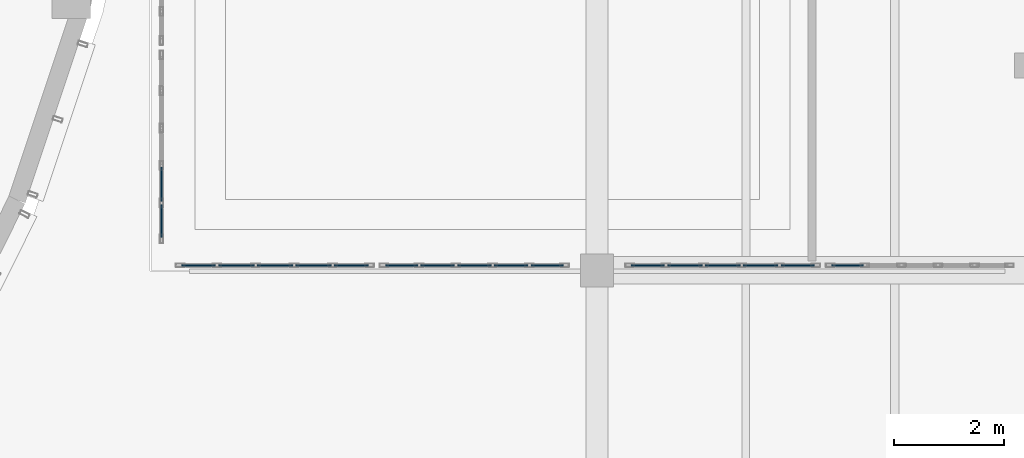
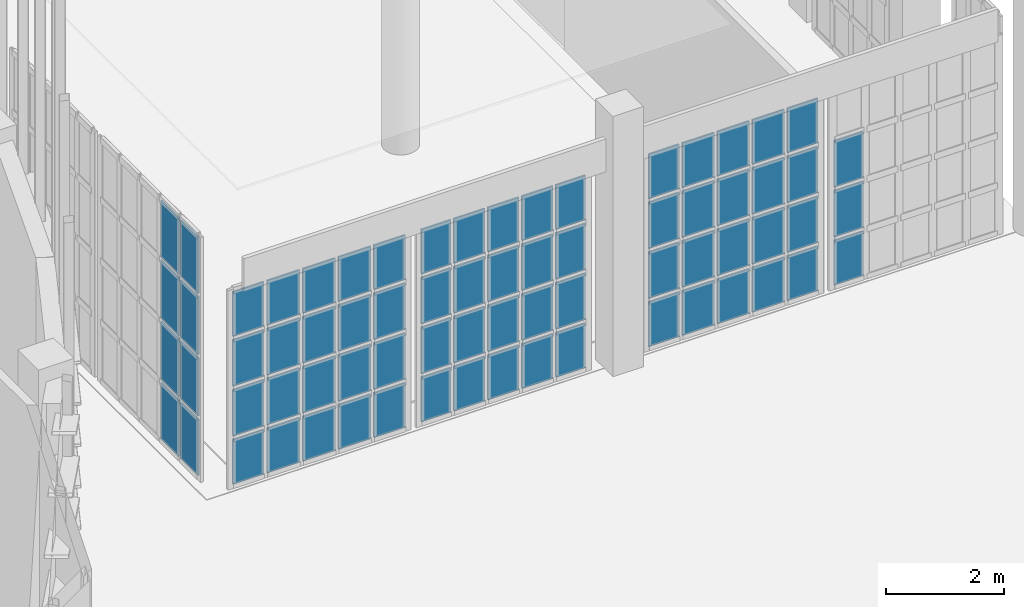
# One storey, part 339 of 372: 71 plates, 5 elements without a shape of their own.
"""IFC4 building model written with IfcOpenShell, lengths in metres."""

import ifcopenshell
import ifcopenshell.guid

model = None  # the IFC model being written
_history = None  # IfcOwnerHistory: only IFC2X3 demands one
_inside = {}  # id of a spatial element -> (the spatial element, [elements in it])
_under = {}  # id of a project, library or spatial element -> (it, [spatial elements below it])
_declared = {}  # id of a project -> (the project, [libraries it declares])
_typed = {}  # id of a type object -> (the type object, [elements of that type])
_made_of = {}  # id of a material, layer set ... -> (it, [elements and type objects made of it])


def new_model(schema):
    """Start an empty IFC model of exactly this schema.

    Asked for "IFC4X3", IfcOpenShell would pick the latest addendum, in which some entities
    have other attributes; the version numbers below select the first issue.
    IFC2X3 requires an IfcOwnerHistory on every rooted entity: one is made here for all.
    """
    global model, _history
    if schema == "IFC4X3":
        model = ifcopenshell.file(schema_version=(4, 3, 0, 0))
    else:
        model = ifcopenshell.file(schema=schema)
    _inside.clear()
    _under.clear()
    _declared.clear()
    _typed.clear()
    _made_of.clear()
    _history = None
    if model.schema == "IFC2X3":
        org = make("IfcOrganization", Name="unknown")
        user = make(
            "IfcPersonAndOrganization",
            ThePerson=make("IfcPerson", FamilyName="unknown"),
            TheOrganization=org,
        )
        app = make(
            "IfcApplication",
            ApplicationDeveloper=org,
            Version="unknown",
            ApplicationFullName="unknown",
            ApplicationIdentifier="unknown",
        )
        _history = make(
            "IfcOwnerHistory",
            OwningUser=user,
            OwningApplication=app,
            ChangeAction="ADDED",
            CreationDate=0,
        )
    return model


def make(cls, **values):
    """One entity of the class cls with the attributes given. An attribute that is None is left unset."""
    return model.create_entity(
        cls, **{name: value for name, value in values.items() if value is not None}
    )


def rooted(cls, **values):
    """An entity with a GlobalId (a new one), such as an element, a storey or a relation."""
    return make(cls, GlobalId=ifcopenshell.guid.new(), OwnerHistory=_history, **values)


def si_unit(unit_type, name, prefix=None):
    """IfcSIUnit, for example si_unit("LENGTHUNIT", "METRE", prefix="MILLI")."""
    return make("IfcSIUnit", UnitType=unit_type, Prefix=prefix, Name=name)


def assignment(units):
    """IfcUnitAssignment: the units of a project."""
    return None if units is None else make("IfcUnitAssignment", Units=units)


def point(xyz):
    """IfcCartesianPoint."""
    return None if xyz is None else make("IfcCartesianPoint", Coordinates=xyz)


def direction(xyz):
    """IfcDirection."""
    return None if xyz is None else make("IfcDirection", DirectionRatios=xyz)


def frame(location, z_axis=None, x_axis=None):
    """IfcAxis2Placement3D, a coordinate frame: its origin and axes. An axis left out is left unset."""
    return make(
        "IfcAxis2Placement3D",
        Location=point(location),
        Axis=direction(z_axis),
        RefDirection=direction(x_axis),
    )


def frame_2d(location, x_axis=None):
    """IfcAxis2Placement2D, a coordinate frame in the plane: its origin and x axis."""
    return make(
        "IfcAxis2Placement2D", Location=point(location), RefDirection=direction(x_axis)
    )


def origin():
    """The frame at (0, 0, 0) with its axes left unset."""
    return frame((0.0, 0.0, 0.0))


def origin_2d():
    """The frame at (0, 0) in the plane with its x axis left unset."""
    return frame_2d((0.0, 0.0))


def place(relative_to, where):
    """IfcLocalPlacement: puts the frame where relative to a parent placement (None: the world)."""
    return make(
        "IfcLocalPlacement", PlacementRelTo=relative_to, RelativePlacement=where
    )


def context(
    kind, dimensions, precision=None, world=None, true_north=None, identifier=None
):
    """IfcGeometricRepresentationContext, for example the 3D "Model" context."""
    return make(
        "IfcGeometricRepresentationContext",
        ContextIdentifier=identifier,
        ContextType=kind,
        CoordinateSpaceDimension=dimensions,
        Precision=precision,
        WorldCoordinateSystem=world,
        TrueNorth=true_north,
    )


def subcontext(parent, identifier, kind, view, scale=None):
    """IfcGeometricRepresentationSubContext, for example "Body" below "Model"."""
    return make(
        "IfcGeometricRepresentationSubContext",
        ContextIdentifier=identifier,
        ContextType=kind,
        ParentContext=parent,
        TargetScale=scale,
        TargetView=view,
    )


def project(units=None, contexts=None):
    """IfcProject with its units and contexts."""
    return rooted(
        "IfcProject",
        Name="project",
        RepresentationContexts=contexts,
        UnitsInContext=assignment(units),
    )


def spatial(cls, under=None, at=None, **own):
    """A site, building, storey or space (cls), placed at a placement, below another one or the project."""
    s = rooted(cls, ObjectPlacement=at, **own)
    if under is not None:
        _under.setdefault(under.id(), (under, []))[1].append(s)
    return s


def profile(cls, at=None, kind="AREA", **sizes):
    """A parametric profile (cls). Its sizes go by their IFC names, for example OverallWidth=200.0."""
    return make(cls, ProfileType=kind, Position=at, **sizes)


def rectangle(**sizes):
    """IfcRectangleProfileDef."""
    return profile("IfcRectangleProfileDef", **sizes)


def extrude(swept, where, along, depth):
    """IfcExtrudedAreaSolid: the profile swept, set in the frame where, extruded along a direction by depth."""
    return make(
        "IfcExtrudedAreaSolid",
        SweptArea=swept,
        Position=where,
        ExtrudedDirection=direction(along),
        Depth=depth,
    )


def shape(context_of_items, identifier, shape_type, items):
    """IfcShapeRepresentation: the items that make up one representation, for example the "Body"."""
    return make(
        "IfcShapeRepresentation",
        ContextOfItems=context_of_items,
        RepresentationIdentifier=identifier,
        RepresentationType=shape_type,
        Items=items,
    )


def material(Name=None, Category=None):
    """IfcMaterial."""
    return make("IfcMaterial", Name=Name, Category=Category)


def layer(
    of_material, thickness, ventilated=None, Name=None, Category=None, Priority=None
):
    """IfcMaterialLayer: one layer of a wall or slab, of a material (None: an air gap)."""
    return make(
        "IfcMaterialLayer",
        Material=of_material,
        LayerThickness=thickness,
        IsVentilated=ventilated,
        Name=Name,
        Category=Category,
        Priority=Priority,
    )


def layer_set(layers, Name=None):
    """IfcMaterialLayerSet."""
    return make("IfcMaterialLayerSet", MaterialLayers=layers, LayerSetName=Name)


def made_of(thing, what):
    """Note that an element or type object is made of a material, layer set ...; save() writes the relation."""
    if what is not None:
        _made_of.setdefault(what.id(), (what, []))[1].append(thing)
    return thing


def type_object(cls, material=None, **own):
    """A type object (cls), such as IfcWallType, which elements share."""
    return made_of(rooted(cls, **own), material)


def element(
    cls,
    number,
    at=None,
    inside=None,
    cuts=None,
    type_object=None,
    material=None,
    context=None,
    identifier="Body",
    shape_type=None,
    held_by="IfcProductDefinitionShape",
    body=None,
    shapes=None,
    **own,
):
    """One element of the class cls, such as IfcWall. Its Tag is "e" and its number.

    at: its placement. inside: the storey or other place that contains it. cuts: it is an
    opening in that element (IfcRelVoidsElement). A single representation is given by context,
    identifier, shape_type and body (its items); several are given by shapes. held_by: the class
    of the entity that holds the representations. save() writes the other relations.
    """
    e = rooted(cls, Tag="e%d" % number, ObjectPlacement=at, **own)
    if body is not None:
        shapes = [shape(context, identifier, shape_type, body)]
    if shapes is not None:
        e.Representation = make(held_by, Representations=shapes)
    if inside is not None:
        _inside.setdefault(inside.id(), (inside, []))[1].append(e)
    if cuts is not None:
        rooted(
            "IfcRelVoidsElement", RelatingBuildingElement=cuts, RelatedOpeningElement=e
        )
    if type_object is not None:
        _typed.setdefault(type_object.id(), (type_object, []))[1].append(e)
    return made_of(e, material)


def aggregate(whole, parts):
    """IfcRelAggregates: a whole, such as a stair, and the parts it consists of."""
    return rooted("IfcRelAggregates", RelatingObject=whole, RelatedObjects=parts)


def save(model, path):
    """Write the relations noted so far, then the file.

    IfcRelAggregates (storeys below a building ...), IfcRelContainedInSpatialStructure (elements
    in a storey), IfcRelDefinesByType, IfcRelAssociatesMaterial and IfcRelDeclares: one each for
    every whole, place, type object, material and project.
    """
    for whole, parts in _under.values():
        aggregate(whole, parts)
    for where, things in _inside.values():
        rooted(
            "IfcRelContainedInSpatialStructure",
            RelatedElements=things,
            RelatingStructure=where,
        )
    for kind, things in _typed.values():
        rooted("IfcRelDefinesByType", RelatedObjects=things, RelatingType=kind)
    for what, things in _made_of.values():
        rooted("IfcRelAssociatesMaterial", RelatedObjects=things, RelatingMaterial=what)
    for by, libraries in _declared.values():
        rooted("IfcRelDeclares", RelatingContext=by, RelatedDefinitions=libraries)
    model.write(path)


model = new_model("IFC4")

# Units and contexts
model_context = context("Model", 3, precision=1e-05, world=origin(), true_north=direction((0.0, 1.0)))
body_context = subcontext(model_context, "Body", "Model", "MODEL_VIEW")
ifc_project = project(units=[si_unit("LENGTHUNIT", "METRE"), si_unit("AREAUNIT", "SQUARE_METRE"), si_unit("VOLUMEUNIT", "CUBIC_METRE"), si_unit("PLANEANGLEUNIT", "RADIAN"), si_unit("MASSUNIT", "GRAM", prefix="KILO")], contexts=[model_context])

# Site, building, storey
site_placement = place(None, origin())
site = spatial("IfcSite", under=ifc_project, at=site_placement, CompositionType="ELEMENT")
building_placement = place(site_placement, origin())
building = spatial("IfcBuilding", under=site, at=building_placement, Name="Kaelora Sail Theatre", CompositionType="ELEMENT")
storey_placement = place(building_placement, origin())
storey = spatial("IfcBuildingStorey", under=building, at=storey_placement, Name="L00", CompositionType="ELEMENT", Elevation=0.0)

# Curtain wall, plates
ifc_material_1 = material(Name="Anodised aluminium and solar-control low-E IGU", Category="aluminium")
curtain_wall_type_1 = type_object("IfcCurtainWallType", Name="ARC-CW-CW-NWG", PredefinedType="NOTDEFINED", material=ifc_material_1)
curtain_wall_1_placement = place(storey_placement, origin())
curtain_wall_1 = element("IfcCurtainWall", 1, at=curtain_wall_1_placement, inside=storey, type_object=curtain_wall_type_1, Name="Glazed Foyer/Conservatory Curtain Wall COLE-S-L00-01", PredefinedType="NOTDEFINED")
ifc_material_2 = material(Name="Solar-control laminated low-E glass", Category="glass")
ifc_layer = layer(ifc_material_2, 0.031982421875)
ifc_layer_set = layer_set([ifc_layer], Name="Solar-control laminated low-E glass")
plate_type = type_object("IfcPlateType", Name="ARC-CW-PNL", PredefinedType="CURTAIN_PANEL", material=ifc_layer_set)
plate_1_placement = place(storey_placement, frame((148.1650390625, 31.35009765625, 0.070068359375), z_axis=(0.0, 0.0, 1.0), x_axis=(1.0, 0.0, 0.0)))
plate_1 = element("IfcPlate", 2, at=plate_1_placement, type_object=plate_type, Name="CW-NWG panel 1.1", PredefinedType="CURTAIN_PANEL", context=body_context, shape_type="SweptSolid", body=[
    extrude(rectangle(XDim=0.610107421875, YDim=0.031982421875, at=origin_2d()), origin(), (0.0, 0.0, 1.0), 0.92919921875),
])
plate_2_placement = place(storey_placement, frame((148.1650390625, 31.35009765625, 1.069091796875), z_axis=(0.0, 0.0, 1.0), x_axis=(1.0, 0.0, 0.0)))
plate_2 = element("IfcPlate", 3, at=plate_2_placement, type_object=plate_type, Name="CW-NWG panel 1.2", PredefinedType="CURTAIN_PANEL", context=body_context, shape_type="SweptSolid", body=[
    extrude(rectangle(XDim=0.610107421875, YDim=0.031982421875, at=origin_2d()), origin(), (0.0, 0.0, 1.0), 0.96435546875),
])
plate_3_placement = place(storey_placement, frame((148.1650390625, 31.35009765625, 2.103515625), z_axis=(0.0, 0.0, 1.0), x_axis=(1.0, 0.0, 0.0)))
plate_3 = element("IfcPlate", 4, at=plate_3_placement, type_object=plate_type, Name="CW-NWG panel 1.3", PredefinedType="CURTAIN_PANEL", context=body_context, shape_type="SweptSolid", body=[
    extrude(rectangle(XDim=0.610107421875, YDim=0.031982421875, at=origin_2d()), origin(), (0.0, 0.0, 1.0), 0.964111328125),
])
plate_4_placement = place(storey_placement, frame((148.1650390625, 31.35009765625, 3.1376953125), z_axis=(0.0, 0.0, 1.0), x_axis=(1.0, 0.0, 0.0)))
plate_4 = element("IfcPlate", 5, at=plate_4_placement, type_object=plate_type, Name="CW-NWG panel 1.4", PredefinedType="CURTAIN_PANEL", context=body_context, shape_type="SweptSolid", body=[
    extrude(rectangle(XDim=0.610107421875, YDim=0.031982421875, at=origin_2d()), origin(), (0.0, 0.0, 1.0), 0.92919921875),
])
plate_5_placement = place(storey_placement, frame((148.85009765625, 31.35009765625, 0.070068359375), z_axis=(0.0, 0.0, 1.0), x_axis=(1.0, 0.0, 0.0)))
plate_5 = element("IfcPlate", 6, at=plate_5_placement, type_object=plate_type, Name="CW-NWG panel 2.1", PredefinedType="CURTAIN_PANEL", context=body_context, shape_type="SweptSolid", body=[
    extrude(rectangle(XDim=0.639892578125, YDim=0.031982421875, at=origin_2d()), origin(), (0.0, 0.0, 1.0), 0.92919921875),
])
plate_6_placement = place(storey_placement, frame((148.85009765625, 31.35009765625, 1.069091796875), z_axis=(0.0, 0.0, 1.0), x_axis=(1.0, 0.0, 0.0)))
plate_6 = element("IfcPlate", 7, at=plate_6_placement, type_object=plate_type, Name="CW-NWG panel 2.2", PredefinedType="CURTAIN_PANEL", context=body_context, shape_type="SweptSolid", body=[
    extrude(rectangle(XDim=0.639892578125, YDim=0.031982421875, at=origin_2d()), origin(), (0.0, 0.0, 1.0), 0.96435546875),
])
plate_7_placement = place(storey_placement, frame((148.85009765625, 31.35009765625, 2.103515625), z_axis=(0.0, 0.0, 1.0), x_axis=(1.0, 0.0, 0.0)))
plate_7 = element("IfcPlate", 8, at=plate_7_placement, type_object=plate_type, Name="CW-NWG panel 2.3", PredefinedType="CURTAIN_PANEL", context=body_context, shape_type="SweptSolid", body=[
    extrude(rectangle(XDim=0.639892578125, YDim=0.031982421875, at=origin_2d()), origin(), (0.0, 0.0, 1.0), 0.964111328125),
])
plate_8_placement = place(storey_placement, frame((148.85009765625, 31.35009765625, 3.1376953125), z_axis=(0.0, 0.0, 1.0), x_axis=(1.0, 0.0, 0.0)))
plate_8 = element("IfcPlate", 9, at=plate_8_placement, type_object=plate_type, Name="CW-NWG panel 2.4", PredefinedType="CURTAIN_PANEL", context=body_context, shape_type="SweptSolid", body=[
    extrude(rectangle(XDim=0.639892578125, YDim=0.031982421875, at=origin_2d()), origin(), (0.0, 0.0, 1.0), 0.92919921875),
])
plate_9_placement = place(storey_placement, frame((149.550048828125, 31.35009765625, 0.070068359375), z_axis=(0.0, 0.0, 1.0), x_axis=(1.0, 0.0, 0.0)))
plate_9 = element("IfcPlate", 10, at=plate_9_placement, type_object=plate_type, Name="CW-NWG panel 3.1", PredefinedType="CURTAIN_PANEL", context=body_context, shape_type="SweptSolid", body=[
    extrude(rectangle(XDim=0.639892578125, YDim=0.031982421875, at=origin_2d()), origin(), (0.0, 0.0, 1.0), 0.92919921875),
])
plate_10_placement = place(storey_placement, frame((149.550048828125, 31.35009765625, 1.069091796875), z_axis=(0.0, 0.0, 1.0), x_axis=(1.0, 0.0, 0.0)))
plate_10 = element("IfcPlate", 11, at=plate_10_placement, type_object=plate_type, Name="CW-NWG panel 3.2", PredefinedType="CURTAIN_PANEL", context=body_context, shape_type="SweptSolid", body=[
    extrude(rectangle(XDim=0.639892578125, YDim=0.031982421875, at=origin_2d()), origin(), (0.0, 0.0, 1.0), 0.96435546875),
])
plate_11_placement = place(storey_placement, frame((149.550048828125, 31.35009765625, 2.103515625), z_axis=(0.0, 0.0, 1.0), x_axis=(1.0, 0.0, 0.0)))
plate_11 = element("IfcPlate", 12, at=plate_11_placement, type_object=plate_type, Name="CW-NWG panel 3.3", PredefinedType="CURTAIN_PANEL", context=body_context, shape_type="SweptSolid", body=[
    extrude(rectangle(XDim=0.639892578125, YDim=0.031982421875, at=origin_2d()), origin(), (0.0, 0.0, 1.0), 0.964111328125),
])
plate_12_placement = place(storey_placement, frame((149.550048828125, 31.35009765625, 3.1376953125), z_axis=(0.0, 0.0, 1.0), x_axis=(1.0, 0.0, 0.0)))
plate_12 = element("IfcPlate", 13, at=plate_12_placement, type_object=plate_type, Name="CW-NWG panel 3.4", PredefinedType="CURTAIN_PANEL", context=body_context, shape_type="SweptSolid", body=[
    extrude(rectangle(XDim=0.639892578125, YDim=0.031982421875, at=origin_2d()), origin(), (0.0, 0.0, 1.0), 0.92919921875),
])
plate_13_placement = place(storey_placement, frame((150.25, 31.35009765625, 0.070068359375), z_axis=(0.0, 0.0, 1.0), x_axis=(1.0, 0.0, 0.0)))
plate_13 = element("IfcPlate", 14, at=plate_13_placement, type_object=plate_type, Name="CW-NWG panel 4.1", PredefinedType="CURTAIN_PANEL", context=body_context, shape_type="SweptSolid", body=[
    extrude(rectangle(XDim=0.639892578125, YDim=0.031982421875, at=origin_2d()), origin(), (0.0, 0.0, 1.0), 0.92919921875),
])
plate_14_placement = place(storey_placement, frame((150.25, 31.35009765625, 1.069091796875), z_axis=(0.0, 0.0, 1.0), x_axis=(1.0, 0.0, 0.0)))
plate_14 = element("IfcPlate", 15, at=plate_14_placement, type_object=plate_type, Name="CW-NWG panel 4.2", PredefinedType="CURTAIN_PANEL", context=body_context, shape_type="SweptSolid", body=[
    extrude(rectangle(XDim=0.639892578125, YDim=0.031982421875, at=origin_2d()), origin(), (0.0, 0.0, 1.0), 0.96435546875),
])
plate_15_placement = place(storey_placement, frame((150.25, 31.35009765625, 2.103515625), z_axis=(0.0, 0.0, 1.0), x_axis=(1.0, 0.0, 0.0)))
plate_15 = element("IfcPlate", 16, at=plate_15_placement, type_object=plate_type, Name="CW-NWG panel 4.3", PredefinedType="CURTAIN_PANEL", context=body_context, shape_type="SweptSolid", body=[
    extrude(rectangle(XDim=0.639892578125, YDim=0.031982421875, at=origin_2d()), origin(), (0.0, 0.0, 1.0), 0.964111328125),
])
plate_16_placement = place(storey_placement, frame((150.25, 31.35009765625, 3.1376953125), z_axis=(0.0, 0.0, 1.0), x_axis=(1.0, 0.0, 0.0)))
plate_16 = element("IfcPlate", 17, at=plate_16_placement, type_object=plate_type, Name="CW-NWG panel 4.4", PredefinedType="CURTAIN_PANEL", context=body_context, shape_type="SweptSolid", body=[
    extrude(rectangle(XDim=0.639892578125, YDim=0.031982421875, at=origin_2d()), origin(), (0.0, 0.0, 1.0), 0.92919921875),
])
plate_17_placement = place(storey_placement, frame((150.93505859375, 31.35009765625, 0.070068359375), z_axis=(0.0, 0.0, 1.0), x_axis=(1.0, 0.0, 0.0)))
plate_17 = element("IfcPlate", 18, at=plate_17_placement, type_object=plate_type, Name="CW-NWG panel 5.1", PredefinedType="CURTAIN_PANEL", context=body_context, shape_type="SweptSolid", body=[
    extrude(rectangle(XDim=0.610107421875, YDim=0.031982421875, at=origin_2d()), origin(), (0.0, 0.0, 1.0), 0.92919921875),
])
plate_18_placement = place(storey_placement, frame((150.93505859375, 31.35009765625, 1.069091796875), z_axis=(0.0, 0.0, 1.0), x_axis=(1.0, 0.0, 0.0)))
plate_18 = element("IfcPlate", 19, at=plate_18_placement, type_object=plate_type, Name="CW-NWG panel 5.2", PredefinedType="CURTAIN_PANEL", context=body_context, shape_type="SweptSolid", body=[
    extrude(rectangle(XDim=0.610107421875, YDim=0.031982421875, at=origin_2d()), origin(), (0.0, 0.0, 1.0), 0.96435546875),
])
plate_19_placement = place(storey_placement, frame((150.93505859375, 31.35009765625, 2.103515625), z_axis=(0.0, 0.0, 1.0), x_axis=(1.0, 0.0, 0.0)))
plate_19 = element("IfcPlate", 20, at=plate_19_placement, type_object=plate_type, Name="CW-NWG panel 5.3", PredefinedType="CURTAIN_PANEL", context=body_context, shape_type="SweptSolid", body=[
    extrude(rectangle(XDim=0.610107421875, YDim=0.031982421875, at=origin_2d()), origin(), (0.0, 0.0, 1.0), 0.964111328125),
])
plate_20_placement = place(storey_placement, frame((150.93505859375, 31.35009765625, 3.1376953125), z_axis=(0.0, 0.0, 1.0), x_axis=(1.0, 0.0, 0.0)))
plate_20 = element("IfcPlate", 21, at=plate_20_placement, type_object=plate_type, Name="CW-NWG panel 5.4", PredefinedType="CURTAIN_PANEL", context=body_context, shape_type="SweptSolid", body=[
    extrude(rectangle(XDim=0.610107421875, YDim=0.031982421875, at=origin_2d()), origin(), (0.0, 0.0, 1.0), 0.92919921875),
])
aggregate(curtain_wall_1, [plate_1, plate_2, plate_3, plate_4, plate_5, plate_6, plate_7, plate_8, plate_9, plate_10, plate_11, plate_12, plate_13, plate_14, plate_15, plate_16, plate_17, plate_18, plate_19, plate_20])

curtain_wall_2_placement = place(storey_placement, origin())
curtain_wall_2 = element("IfcCurtainWall", 22, at=curtain_wall_2_placement, inside=storey, type_object=curtain_wall_type_1, Name="Glazed Foyer/Conservatory Curtain Wall COLE-S-L00-02", PredefinedType="NOTDEFINED")
plate_21_placement = place(storey_placement, frame((151.84912109375, 31.35009765625, 0.070068359375), z_axis=(0.0, 0.0, 1.0), x_axis=(1.0, 0.0, 0.0)))
plate_21 = element("IfcPlate", 23, at=plate_21_placement, type_object=plate_type, Name="CW-NWG panel 1.1", PredefinedType="CURTAIN_PANEL", context=body_context, shape_type="SweptSolid", body=[
    extrude(rectangle(XDim=0.577880859375, YDim=0.031982421875, at=origin_2d()), origin(), (0.0, 0.0, 1.0), 0.92919921875),
])
plate_22_placement = place(storey_placement, frame((151.84912109375, 31.35009765625, 1.069091796875), z_axis=(0.0, 0.0, 1.0), x_axis=(1.0, 0.0, 0.0)))
plate_22 = element("IfcPlate", 24, at=plate_22_placement, type_object=plate_type, Name="CW-NWG panel 1.2", PredefinedType="CURTAIN_PANEL", context=body_context, shape_type="SweptSolid", body=[
    extrude(rectangle(XDim=0.577880859375, YDim=0.031982421875, at=origin_2d()), origin(), (0.0, 0.0, 1.0), 0.96435546875),
])
plate_23_placement = place(storey_placement, frame((151.84912109375, 31.35009765625, 2.103515625), z_axis=(0.0, 0.0, 1.0), x_axis=(1.0, 0.0, 0.0)))
plate_23 = element("IfcPlate", 25, at=plate_23_placement, type_object=plate_type, Name="CW-NWG panel 1.3", PredefinedType="CURTAIN_PANEL", context=body_context, shape_type="SweptSolid", body=[
    extrude(rectangle(XDim=0.577880859375, YDim=0.031982421875, at=origin_2d()), origin(), (0.0, 0.0, 1.0), 0.964111328125),
])
plate_24_placement = place(storey_placement, frame((151.84912109375, 31.35009765625, 3.1376953125), z_axis=(0.0, 0.0, 1.0), x_axis=(1.0, 0.0, 0.0)))
plate_24 = element("IfcPlate", 26, at=plate_24_placement, type_object=plate_type, Name="CW-NWG panel 1.4", PredefinedType="CURTAIN_PANEL", context=body_context, shape_type="SweptSolid", body=[
    extrude(rectangle(XDim=0.577880859375, YDim=0.031982421875, at=origin_2d()), origin(), (0.0, 0.0, 1.0), 0.92919921875),
])
plate_25_placement = place(storey_placement, frame((152.501953125, 31.35009765625, 0.070068359375), z_axis=(0.0, 0.0, 1.0), x_axis=(1.0, 0.0, 0.0)))
plate_25 = element("IfcPlate", 27, at=plate_25_placement, type_object=plate_type, Name="CW-NWG panel 2.1", PredefinedType="CURTAIN_PANEL", context=body_context, shape_type="SweptSolid", body=[
    extrude(rectangle(XDim=0.60791015625, YDim=0.031982421875, at=origin_2d()), origin(), (0.0, 0.0, 1.0), 0.92919921875),
])
plate_26_placement = place(storey_placement, frame((152.501953125, 31.35009765625, 1.069091796875), z_axis=(0.0, 0.0, 1.0), x_axis=(1.0, 0.0, 0.0)))
plate_26 = element("IfcPlate", 28, at=plate_26_placement, type_object=plate_type, Name="CW-NWG panel 2.2", PredefinedType="CURTAIN_PANEL", context=body_context, shape_type="SweptSolid", body=[
    extrude(rectangle(XDim=0.60791015625, YDim=0.031982421875, at=origin_2d()), origin(), (0.0, 0.0, 1.0), 0.96435546875),
])
plate_27_placement = place(storey_placement, frame((152.501953125, 31.35009765625, 2.103515625), z_axis=(0.0, 0.0, 1.0), x_axis=(1.0, 0.0, 0.0)))
plate_27 = element("IfcPlate", 29, at=plate_27_placement, type_object=plate_type, Name="CW-NWG panel 2.3", PredefinedType="CURTAIN_PANEL", context=body_context, shape_type="SweptSolid", body=[
    extrude(rectangle(XDim=0.60791015625, YDim=0.031982421875, at=origin_2d()), origin(), (0.0, 0.0, 1.0), 0.964111328125),
])
plate_28_placement = place(storey_placement, frame((152.501953125, 31.35009765625, 3.1376953125), z_axis=(0.0, 0.0, 1.0), x_axis=(1.0, 0.0, 0.0)))
plate_28 = element("IfcPlate", 30, at=plate_28_placement, type_object=plate_type, Name="CW-NWG panel 2.4", PredefinedType="CURTAIN_PANEL", context=body_context, shape_type="SweptSolid", body=[
    extrude(rectangle(XDim=0.60791015625, YDim=0.031982421875, at=origin_2d()), origin(), (0.0, 0.0, 1.0), 0.92919921875),
])
plate_29_placement = place(storey_placement, frame((153.169921875, 31.35009765625, 0.070068359375), z_axis=(0.0, 0.0, 1.0), x_axis=(1.0, 0.0, 0.0)))
plate_29 = element("IfcPlate", 31, at=plate_29_placement, type_object=plate_type, Name="CW-NWG panel 3.1", PredefinedType="CURTAIN_PANEL", context=body_context, shape_type="SweptSolid", body=[
    extrude(rectangle(XDim=0.60791015625, YDim=0.031982421875, at=origin_2d()), origin(), (0.0, 0.0, 1.0), 0.92919921875),
])
plate_30_placement = place(storey_placement, frame((153.169921875, 31.35009765625, 1.069091796875), z_axis=(0.0, 0.0, 1.0), x_axis=(1.0, 0.0, 0.0)))
plate_30 = element("IfcPlate", 32, at=plate_30_placement, type_object=plate_type, Name="CW-NWG panel 3.2", PredefinedType="CURTAIN_PANEL", context=body_context, shape_type="SweptSolid", body=[
    extrude(rectangle(XDim=0.60791015625, YDim=0.031982421875, at=origin_2d()), origin(), (0.0, 0.0, 1.0), 0.96435546875),
])
plate_31_placement = place(storey_placement, frame((153.169921875, 31.35009765625, 2.103515625), z_axis=(0.0, 0.0, 1.0), x_axis=(1.0, 0.0, 0.0)))
plate_31 = element("IfcPlate", 33, at=plate_31_placement, type_object=plate_type, Name="CW-NWG panel 3.3", PredefinedType="CURTAIN_PANEL", context=body_context, shape_type="SweptSolid", body=[
    extrude(rectangle(XDim=0.60791015625, YDim=0.031982421875, at=origin_2d()), origin(), (0.0, 0.0, 1.0), 0.964111328125),
])
plate_32_placement = place(storey_placement, frame((153.169921875, 31.35009765625, 3.1376953125), z_axis=(0.0, 0.0, 1.0), x_axis=(1.0, 0.0, 0.0)))
plate_32 = element("IfcPlate", 34, at=plate_32_placement, type_object=plate_type, Name="CW-NWG panel 3.4", PredefinedType="CURTAIN_PANEL", context=body_context, shape_type="SweptSolid", body=[
    extrude(rectangle(XDim=0.60791015625, YDim=0.031982421875, at=origin_2d()), origin(), (0.0, 0.0, 1.0), 0.92919921875),
])
plate_33_placement = place(storey_placement, frame((153.837890625, 31.35009765625, 0.070068359375), z_axis=(0.0, 0.0, 1.0), x_axis=(1.0, 0.0, 0.0)))
plate_33 = element("IfcPlate", 35, at=plate_33_placement, type_object=plate_type, Name="CW-NWG panel 4.1", PredefinedType="CURTAIN_PANEL", context=body_context, shape_type="SweptSolid", body=[
    extrude(rectangle(XDim=0.60791015625, YDim=0.031982421875, at=origin_2d()), origin(), (0.0, 0.0, 1.0), 0.92919921875),
])
plate_34_placement = place(storey_placement, frame((153.837890625, 31.35009765625, 1.069091796875), z_axis=(0.0, 0.0, 1.0), x_axis=(1.0, 0.0, 0.0)))
plate_34 = element("IfcPlate", 36, at=plate_34_placement, type_object=plate_type, Name="CW-NWG panel 4.2", PredefinedType="CURTAIN_PANEL", context=body_context, shape_type="SweptSolid", body=[
    extrude(rectangle(XDim=0.60791015625, YDim=0.031982421875, at=origin_2d()), origin(), (0.0, 0.0, 1.0), 0.96435546875),
])
plate_35_placement = place(storey_placement, frame((153.837890625, 31.35009765625, 2.103515625), z_axis=(0.0, 0.0, 1.0), x_axis=(1.0, 0.0, 0.0)))
plate_35 = element("IfcPlate", 37, at=plate_35_placement, type_object=plate_type, Name="CW-NWG panel 4.3", PredefinedType="CURTAIN_PANEL", context=body_context, shape_type="SweptSolid", body=[
    extrude(rectangle(XDim=0.60791015625, YDim=0.031982421875, at=origin_2d()), origin(), (0.0, 0.0, 1.0), 0.964111328125),
])
plate_36_placement = place(storey_placement, frame((153.837890625, 31.35009765625, 3.1376953125), z_axis=(0.0, 0.0, 1.0), x_axis=(1.0, 0.0, 0.0)))
plate_36 = element("IfcPlate", 38, at=plate_36_placement, type_object=plate_type, Name="CW-NWG panel 4.4", PredefinedType="CURTAIN_PANEL", context=body_context, shape_type="SweptSolid", body=[
    extrude(rectangle(XDim=0.60791015625, YDim=0.031982421875, at=origin_2d()), origin(), (0.0, 0.0, 1.0), 0.92919921875),
])
plate_37_placement = place(storey_placement, frame((154.490966796875, 31.35009765625, 0.070068359375), z_axis=(0.0, 0.0, 1.0), x_axis=(1.0, 0.0, 0.0)))
plate_37 = element("IfcPlate", 39, at=plate_37_placement, type_object=plate_type, Name="CW-NWG panel 5.1", PredefinedType="CURTAIN_PANEL", context=body_context, shape_type="SweptSolid", body=[
    extrude(rectangle(XDim=0.577880859375, YDim=0.031982421875, at=origin_2d()), origin(), (0.0, 0.0, 1.0), 0.92919921875),
])
plate_38_placement = place(storey_placement, frame((154.490966796875, 31.35009765625, 1.069091796875), z_axis=(0.0, 0.0, 1.0), x_axis=(1.0, 0.0, 0.0)))
plate_38 = element("IfcPlate", 40, at=plate_38_placement, type_object=plate_type, Name="CW-NWG panel 5.2", PredefinedType="CURTAIN_PANEL", context=body_context, shape_type="SweptSolid", body=[
    extrude(rectangle(XDim=0.577880859375, YDim=0.031982421875, at=origin_2d()), origin(), (0.0, 0.0, 1.0), 0.96435546875),
])
plate_39_placement = place(storey_placement, frame((154.490966796875, 31.35009765625, 2.103515625), z_axis=(0.0, 0.0, 1.0), x_axis=(1.0, 0.0, 0.0)))
plate_39 = element("IfcPlate", 41, at=plate_39_placement, type_object=plate_type, Name="CW-NWG panel 5.3", PredefinedType="CURTAIN_PANEL", context=body_context, shape_type="SweptSolid", body=[
    extrude(rectangle(XDim=0.577880859375, YDim=0.031982421875, at=origin_2d()), origin(), (0.0, 0.0, 1.0), 0.964111328125),
])
plate_40_placement = place(storey_placement, frame((154.490966796875, 31.35009765625, 3.1376953125), z_axis=(0.0, 0.0, 1.0), x_axis=(1.0, 0.0, 0.0)))
plate_40 = element("IfcPlate", 42, at=plate_40_placement, type_object=plate_type, Name="CW-NWG panel 5.4", PredefinedType="CURTAIN_PANEL", context=body_context, shape_type="SweptSolid", body=[
    extrude(rectangle(XDim=0.577880859375, YDim=0.031982421875, at=origin_2d()), origin(), (0.0, 0.0, 1.0), 0.92919921875),
])
aggregate(curtain_wall_2, [plate_21, plate_22, plate_23, plate_24, plate_25, plate_26, plate_27, plate_28, plate_29, plate_30, plate_31, plate_32, plate_33, plate_34, plate_35, plate_36, plate_37, plate_38, plate_39, plate_40])

curtain_wall_3_placement = place(storey_placement, origin())
curtain_wall_3 = element("IfcCurtainWall", 43, at=curtain_wall_3_placement, inside=storey, type_object=curtain_wall_type_1, Name="Glazed Foyer/Conservatory Curtain Wall COLE-S-L00-03", PredefinedType="NOTDEFINED")
plate_41_placement = place(storey_placement, frame((156.319091796875, 31.35009765625, 0.070068359375), z_axis=(0.0, 0.0, 1.0), x_axis=(1.0, 0.0, 0.0)))
plate_41 = element("IfcPlate", 44, at=plate_41_placement, type_object=plate_type, Name="CW-NWG panel 1.1", PredefinedType="CURTAIN_PANEL", context=body_context, shape_type="SweptSolid", body=[
    extrude(rectangle(XDim=0.597900390625, YDim=0.031982421875, at=origin_2d()), origin(), (0.0, 0.0, 1.0), 0.92919921875),
])
plate_42_placement = place(storey_placement, frame((156.319091796875, 31.35009765625, 1.069091796875), z_axis=(0.0, 0.0, 1.0), x_axis=(1.0, 0.0, 0.0)))
plate_42 = element("IfcPlate", 45, at=plate_42_placement, type_object=plate_type, Name="CW-NWG panel 1.2", PredefinedType="CURTAIN_PANEL", context=body_context, shape_type="SweptSolid", body=[
    extrude(rectangle(XDim=0.597900390625, YDim=0.031982421875, at=origin_2d()), origin(), (0.0, 0.0, 1.0), 0.96435546875),
])
plate_43_placement = place(storey_placement, frame((156.319091796875, 31.35009765625, 2.103515625), z_axis=(0.0, 0.0, 1.0), x_axis=(1.0, 0.0, 0.0)))
plate_43 = element("IfcPlate", 46, at=plate_43_placement, type_object=plate_type, Name="CW-NWG panel 1.3", PredefinedType="CURTAIN_PANEL", context=body_context, shape_type="SweptSolid", body=[
    extrude(rectangle(XDim=0.597900390625, YDim=0.031982421875, at=origin_2d()), origin(), (0.0, 0.0, 1.0), 0.964111328125),
])
plate_44_placement = place(storey_placement, frame((156.319091796875, 31.35009765625, 3.1376953125), z_axis=(0.0, 0.0, 1.0), x_axis=(1.0, 0.0, 0.0)))
plate_44 = element("IfcPlate", 47, at=plate_44_placement, type_object=plate_type, Name="CW-NWG panel 1.4", PredefinedType="CURTAIN_PANEL", context=body_context, shape_type="SweptSolid", body=[
    extrude(rectangle(XDim=0.597900390625, YDim=0.031982421875, at=origin_2d()), origin(), (0.0, 0.0, 1.0), 0.92919921875),
])
plate_45_placement = place(storey_placement, frame((156.991943359375, 31.35009765625, 0.070068359375), z_axis=(0.0, 0.0, 1.0), x_axis=(1.0, 0.0, 0.0)))
plate_45 = element("IfcPlate", 48, at=plate_45_placement, type_object=plate_type, Name="CW-NWG panel 2.1", PredefinedType="CURTAIN_PANEL", context=body_context, shape_type="SweptSolid", body=[
    extrude(rectangle(XDim=0.6279296875, YDim=0.031982421875, at=origin_2d()), origin(), (0.0, 0.0, 1.0), 0.92919921875),
])
plate_46_placement = place(storey_placement, frame((156.991943359375, 31.35009765625, 1.069091796875), z_axis=(0.0, 0.0, 1.0), x_axis=(1.0, 0.0, 0.0)))
plate_46 = element("IfcPlate", 49, at=plate_46_placement, type_object=plate_type, Name="CW-NWG panel 2.2", PredefinedType="CURTAIN_PANEL", context=body_context, shape_type="SweptSolid", body=[
    extrude(rectangle(XDim=0.6279296875, YDim=0.031982421875, at=origin_2d()), origin(), (0.0, 0.0, 1.0), 0.96435546875),
])
plate_47_placement = place(storey_placement, frame((156.991943359375, 31.35009765625, 2.103515625), z_axis=(0.0, 0.0, 1.0), x_axis=(1.0, 0.0, 0.0)))
plate_47 = element("IfcPlate", 50, at=plate_47_placement, type_object=plate_type, Name="CW-NWG panel 2.3", PredefinedType="CURTAIN_PANEL", context=body_context, shape_type="SweptSolid", body=[
    extrude(rectangle(XDim=0.6279296875, YDim=0.031982421875, at=origin_2d()), origin(), (0.0, 0.0, 1.0), 0.964111328125),
])
plate_48_placement = place(storey_placement, frame((156.991943359375, 31.35009765625, 3.1376953125), z_axis=(0.0, 0.0, 1.0), x_axis=(1.0, 0.0, 0.0)))
plate_48 = element("IfcPlate", 51, at=plate_48_placement, type_object=plate_type, Name="CW-NWG panel 2.4", PredefinedType="CURTAIN_PANEL", context=body_context, shape_type="SweptSolid", body=[
    extrude(rectangle(XDim=0.6279296875, YDim=0.031982421875, at=origin_2d()), origin(), (0.0, 0.0, 1.0), 0.92919921875),
])
plate_49_placement = place(storey_placement, frame((157.679931640625, 31.35009765625, 0.070068359375), z_axis=(0.0, 0.0, 1.0), x_axis=(1.0, 0.0, 0.0)))
plate_49 = element("IfcPlate", 52, at=plate_49_placement, type_object=plate_type, Name="CW-NWG panel 3.1", PredefinedType="CURTAIN_PANEL", context=body_context, shape_type="SweptSolid", body=[
    extrude(rectangle(XDim=0.6279296875, YDim=0.031982421875, at=origin_2d()), origin(), (0.0, 0.0, 1.0), 0.92919921875),
])
plate_50_placement = place(storey_placement, frame((157.679931640625, 31.35009765625, 1.069091796875), z_axis=(0.0, 0.0, 1.0), x_axis=(1.0, 0.0, 0.0)))
plate_50 = element("IfcPlate", 53, at=plate_50_placement, type_object=plate_type, Name="CW-NWG panel 3.2", PredefinedType="CURTAIN_PANEL", context=body_context, shape_type="SweptSolid", body=[
    extrude(rectangle(XDim=0.6279296875, YDim=0.031982421875, at=origin_2d()), origin(), (0.0, 0.0, 1.0), 0.96435546875),
])
plate_51_placement = place(storey_placement, frame((157.679931640625, 31.35009765625, 2.103515625), z_axis=(0.0, 0.0, 1.0), x_axis=(1.0, 0.0, 0.0)))
plate_51 = element("IfcPlate", 54, at=plate_51_placement, type_object=plate_type, Name="CW-NWG panel 3.3", PredefinedType="CURTAIN_PANEL", context=body_context, shape_type="SweptSolid", body=[
    extrude(rectangle(XDim=0.6279296875, YDim=0.031982421875, at=origin_2d()), origin(), (0.0, 0.0, 1.0), 0.964111328125),
])
plate_52_placement = place(storey_placement, frame((157.679931640625, 31.35009765625, 3.1376953125), z_axis=(0.0, 0.0, 1.0), x_axis=(1.0, 0.0, 0.0)))
plate_52 = element("IfcPlate", 55, at=plate_52_placement, type_object=plate_type, Name="CW-NWG panel 3.4", PredefinedType="CURTAIN_PANEL", context=body_context, shape_type="SweptSolid", body=[
    extrude(rectangle(XDim=0.6279296875, YDim=0.031982421875, at=origin_2d()), origin(), (0.0, 0.0, 1.0), 0.92919921875),
])
plate_53_placement = place(storey_placement, frame((158.367919921875, 31.35009765625, 0.070068359375), z_axis=(0.0, 0.0, 1.0), x_axis=(1.0, 0.0, 0.0)))
plate_53 = element("IfcPlate", 56, at=plate_53_placement, type_object=plate_type, Name="CW-NWG panel 4.1", PredefinedType="CURTAIN_PANEL", context=body_context, shape_type="SweptSolid", body=[
    extrude(rectangle(XDim=0.6279296875, YDim=0.031982421875, at=origin_2d()), origin(), (0.0, 0.0, 1.0), 0.92919921875),
])
plate_54_placement = place(storey_placement, frame((158.367919921875, 31.35009765625, 1.069091796875), z_axis=(0.0, 0.0, 1.0), x_axis=(1.0, 0.0, 0.0)))
plate_54 = element("IfcPlate", 57, at=plate_54_placement, type_object=plate_type, Name="CW-NWG panel 4.2", PredefinedType="CURTAIN_PANEL", context=body_context, shape_type="SweptSolid", body=[
    extrude(rectangle(XDim=0.6279296875, YDim=0.031982421875, at=origin_2d()), origin(), (0.0, 0.0, 1.0), 0.96435546875),
])
plate_55_placement = place(storey_placement, frame((158.367919921875, 31.35009765625, 2.103515625), z_axis=(0.0, 0.0, 1.0), x_axis=(1.0, 0.0, 0.0)))
plate_55 = element("IfcPlate", 58, at=plate_55_placement, type_object=plate_type, Name="CW-NWG panel 4.3", PredefinedType="CURTAIN_PANEL", context=body_context, shape_type="SweptSolid", body=[
    extrude(rectangle(XDim=0.6279296875, YDim=0.031982421875, at=origin_2d()), origin(), (0.0, 0.0, 1.0), 0.964111328125),
])
plate_56_placement = place(storey_placement, frame((158.367919921875, 31.35009765625, 3.1376953125), z_axis=(0.0, 0.0, 1.0), x_axis=(1.0, 0.0, 0.0)))
plate_56 = element("IfcPlate", 59, at=plate_56_placement, type_object=plate_type, Name="CW-NWG panel 4.4", PredefinedType="CURTAIN_PANEL", context=body_context, shape_type="SweptSolid", body=[
    extrude(rectangle(XDim=0.6279296875, YDim=0.031982421875, at=origin_2d()), origin(), (0.0, 0.0, 1.0), 0.92919921875),
])
plate_57_placement = place(storey_placement, frame((159.041015625, 31.35009765625, 0.070068359375), z_axis=(0.0, 0.0, 1.0), x_axis=(1.0, 0.0, 0.0)))
plate_57 = element("IfcPlate", 60, at=plate_57_placement, type_object=plate_type, Name="CW-NWG panel 5.1", PredefinedType="CURTAIN_PANEL", context=body_context, shape_type="SweptSolid", body=[
    extrude(rectangle(XDim=0.597900390625, YDim=0.031982421875, at=origin_2d()), origin(), (0.0, 0.0, 1.0), 0.92919921875),
])
plate_58_placement = place(storey_placement, frame((159.041015625, 31.35009765625, 1.069091796875), z_axis=(0.0, 0.0, 1.0), x_axis=(1.0, 0.0, 0.0)))
plate_58 = element("IfcPlate", 61, at=plate_58_placement, type_object=plate_type, Name="CW-NWG panel 5.2", PredefinedType="CURTAIN_PANEL", context=body_context, shape_type="SweptSolid", body=[
    extrude(rectangle(XDim=0.597900390625, YDim=0.031982421875, at=origin_2d()), origin(), (0.0, 0.0, 1.0), 0.96435546875),
])
plate_59_placement = place(storey_placement, frame((159.041015625, 31.35009765625, 2.103515625), z_axis=(0.0, 0.0, 1.0), x_axis=(1.0, 0.0, 0.0)))
plate_59 = element("IfcPlate", 62, at=plate_59_placement, type_object=plate_type, Name="CW-NWG panel 5.3", PredefinedType="CURTAIN_PANEL", context=body_context, shape_type="SweptSolid", body=[
    extrude(rectangle(XDim=0.597900390625, YDim=0.031982421875, at=origin_2d()), origin(), (0.0, 0.0, 1.0), 0.964111328125),
])
plate_60_placement = place(storey_placement, frame((159.041015625, 31.35009765625, 3.1376953125), z_axis=(0.0, 0.0, 1.0), x_axis=(1.0, 0.0, 0.0)))
plate_60 = element("IfcPlate", 63, at=plate_60_placement, type_object=plate_type, Name="CW-NWG panel 5.4", PredefinedType="CURTAIN_PANEL", context=body_context, shape_type="SweptSolid", body=[
    extrude(rectangle(XDim=0.597900390625, YDim=0.031982421875, at=origin_2d()), origin(), (0.0, 0.0, 1.0), 0.92919921875),
])
aggregate(curtain_wall_3, [plate_41, plate_42, plate_43, plate_44, plate_45, plate_46, plate_47, plate_48, plate_49, plate_50, plate_51, plate_52, plate_53, plate_54, plate_55, plate_56, plate_57, plate_58, plate_59, plate_60])

curtain_wall_4_placement = place(storey_placement, origin())
curtain_wall_4 = element("IfcCurtainWall", 64, at=curtain_wall_4_placement, inside=storey, type_object=curtain_wall_type_1, Name="Glazed Foyer/Conservatory Curtain Wall COLE-S-L00-04", PredefinedType="NOTDEFINED")
plate_61_placement = place(storey_placement, frame((159.946533203125, 31.35009765625, 0.070068359375), z_axis=(0.0, 0.0, 1.0), x_axis=(1.0, 0.0, 0.0)))
plate_61 = element("IfcPlate", 65, at=plate_61_placement, type_object=plate_type, Name="CW-NWG panel 1.1", PredefinedType="CURTAIN_PANEL", context=body_context, shape_type="SweptSolid", body=[
    extrude(rectangle(XDim=0.572998046875, YDim=0.031982421875, at=origin_2d()), origin(), (0.0, 0.0, 1.0), 0.92919921875),
])
plate_62_placement = place(storey_placement, frame((159.946533203125, 31.35009765625, 1.069091796875), z_axis=(0.0, 0.0, 1.0), x_axis=(1.0, 0.0, 0.0)))
plate_62 = element("IfcPlate", 66, at=plate_62_placement, type_object=plate_type, Name="CW-NWG panel 1.2", PredefinedType="CURTAIN_PANEL", context=body_context, shape_type="SweptSolid", body=[
    extrude(rectangle(XDim=0.572998046875, YDim=0.031982421875, at=origin_2d()), origin(), (0.0, 0.0, 1.0), 0.96435546875),
])
plate_63_placement = place(storey_placement, frame((159.946533203125, 31.35009765625, 2.103515625), z_axis=(0.0, 0.0, 1.0), x_axis=(1.0, 0.0, 0.0)))
plate_63 = element("IfcPlate", 67, at=plate_63_placement, type_object=plate_type, Name="CW-NWG panel 1.3", PredefinedType="CURTAIN_PANEL", context=body_context, shape_type="SweptSolid", body=[
    extrude(rectangle(XDim=0.572998046875, YDim=0.031982421875, at=origin_2d()), origin(), (0.0, 0.0, 1.0), 0.964111328125),
])
aggregate(curtain_wall_4, [plate_61, plate_62, plate_63])

ifc_material_3 = material(Name="Anodised aluminium and solar-control low-E IGU", Category="aluminium")
curtain_wall_type_2 = type_object("IfcCurtainWallType", Name="ARC-CW-CW-FOY2", PredefinedType="NOTDEFINED", material=ifc_material_3)
curtain_wall_5_placement = place(storey_placement, origin())
curtain_wall_5 = element("IfcCurtainWall", 68, at=curtain_wall_5_placement, inside=storey, type_object=curtain_wall_type_2, Name="Glazed Colonnade/Courtyard Curtain Wall COLE-W-L00-01", PredefinedType="NOTDEFINED")
plate_64_placement = place(storey_placement, frame((147.489990234375, 32.155029296875, 0.06982421875), z_axis=(0.0, 0.0, 1.0), x_axis=(0.0, 1.0, 0.0)))
plate_64 = element("IfcPlate", 69, at=plate_64_placement, type_object=plate_type, Name="CW-FOY2 panel 1.1", PredefinedType="CURTAIN_PANEL", context=body_context, shape_type="SweptSolid", body=[
    extrude(rectangle(XDim=0.590087890625, YDim=0.031982421875, at=origin_2d()), origin(), (0.0, 0.0, 1.0), 1.166259765625),
])
plate_65_placement = place(storey_placement, frame((147.489990234375, 32.155029296875, 1.306396484375), z_axis=(0.0, 0.0, 1.0), x_axis=(0.0, 1.0, 0.0)))
plate_65 = element("IfcPlate", 70, at=plate_65_placement, type_object=plate_type, Name="CW-FOY2 panel 1.2", PredefinedType="CURTAIN_PANEL", context=body_context, shape_type="SweptSolid", body=[
    extrude(rectangle(XDim=0.590087890625, YDim=0.031982421875, at=origin_2d()), origin(), (0.0, 0.0, 1.0), 1.201171875),
])
plate_66_placement = place(storey_placement, frame((147.489990234375, 32.155029296875, 2.57763671875), z_axis=(0.0, 0.0, 1.0), x_axis=(0.0, 1.0, 0.0)))
plate_66 = element("IfcPlate", 71, at=plate_66_placement, type_object=plate_type, Name="CW-FOY2 panel 1.3", PredefinedType="CURTAIN_PANEL", context=body_context, shape_type="SweptSolid", body=[
    extrude(rectangle(XDim=0.590087890625, YDim=0.031982421875, at=origin_2d()), origin(), (0.0, 0.0, 1.0), 1.201416015625),
])
plate_67_placement = place(storey_placement, frame((147.489990234375, 32.155029296875, 3.8486328125), z_axis=(0.0, 0.0, 1.0), x_axis=(0.0, 1.0, 0.0)))
plate_67 = element("IfcPlate", 72, at=plate_67_placement, type_object=plate_type, Name="CW-FOY2 panel 1.4", PredefinedType="CURTAIN_PANEL", context=body_context, shape_type="SweptSolid", body=[
    extrude(rectangle(XDim=0.590087890625, YDim=0.031982421875, at=origin_2d()), origin(), (0.0, 0.0, 1.0), 1.166259765625),
])
plate_68_placement = place(storey_placement, frame((147.489990234375, 32.820068359375, 0.06982421875), z_axis=(0.0, 0.0, 1.0), x_axis=(0.0, 1.0, 0.0)))
plate_68 = element("IfcPlate", 73, at=plate_68_placement, type_object=plate_type, Name="CW-FOY2 panel 2.1", PredefinedType="CURTAIN_PANEL", context=body_context, shape_type="SweptSolid", body=[
    extrude(rectangle(XDim=0.6201171875, YDim=0.031982421875, at=origin_2d()), origin(), (0.0, 0.0, 1.0), 1.166259765625),
])
plate_69_placement = place(storey_placement, frame((147.489990234375, 32.820068359375, 1.306396484375), z_axis=(0.0, 0.0, 1.0), x_axis=(0.0, 1.0, 0.0)))
plate_69 = element("IfcPlate", 74, at=plate_69_placement, type_object=plate_type, Name="CW-FOY2 panel 2.2", PredefinedType="CURTAIN_PANEL", context=body_context, shape_type="SweptSolid", body=[
    extrude(rectangle(XDim=0.6201171875, YDim=0.031982421875, at=origin_2d()), origin(), (0.0, 0.0, 1.0), 1.201171875),
])
plate_70_placement = place(storey_placement, frame((147.489990234375, 32.820068359375, 2.57763671875), z_axis=(0.0, 0.0, 1.0), x_axis=(0.0, 1.0, 0.0)))
plate_70 = element("IfcPlate", 75, at=plate_70_placement, type_object=plate_type, Name="CW-FOY2 panel 2.3", PredefinedType="CURTAIN_PANEL", context=body_context, shape_type="SweptSolid", body=[
    extrude(rectangle(XDim=0.6201171875, YDim=0.031982421875, at=origin_2d()), origin(), (0.0, 0.0, 1.0), 1.201416015625),
])
plate_71_placement = place(storey_placement, frame((147.489990234375, 32.820068359375, 3.8486328125), z_axis=(0.0, 0.0, 1.0), x_axis=(0.0, 1.0, 0.0)))
plate_71 = element("IfcPlate", 76, at=plate_71_placement, type_object=plate_type, Name="CW-FOY2 panel 2.4", PredefinedType="CURTAIN_PANEL", context=body_context, shape_type="SweptSolid", body=[
    extrude(rectangle(XDim=0.6201171875, YDim=0.031982421875, at=origin_2d()), origin(), (0.0, 0.0, 1.0), 1.166259765625),
])
aggregate(curtain_wall_5, [plate_64, plate_65, plate_66, plate_67, plate_68, plate_69, plate_70, plate_71])

save(model, "model.ifc")
